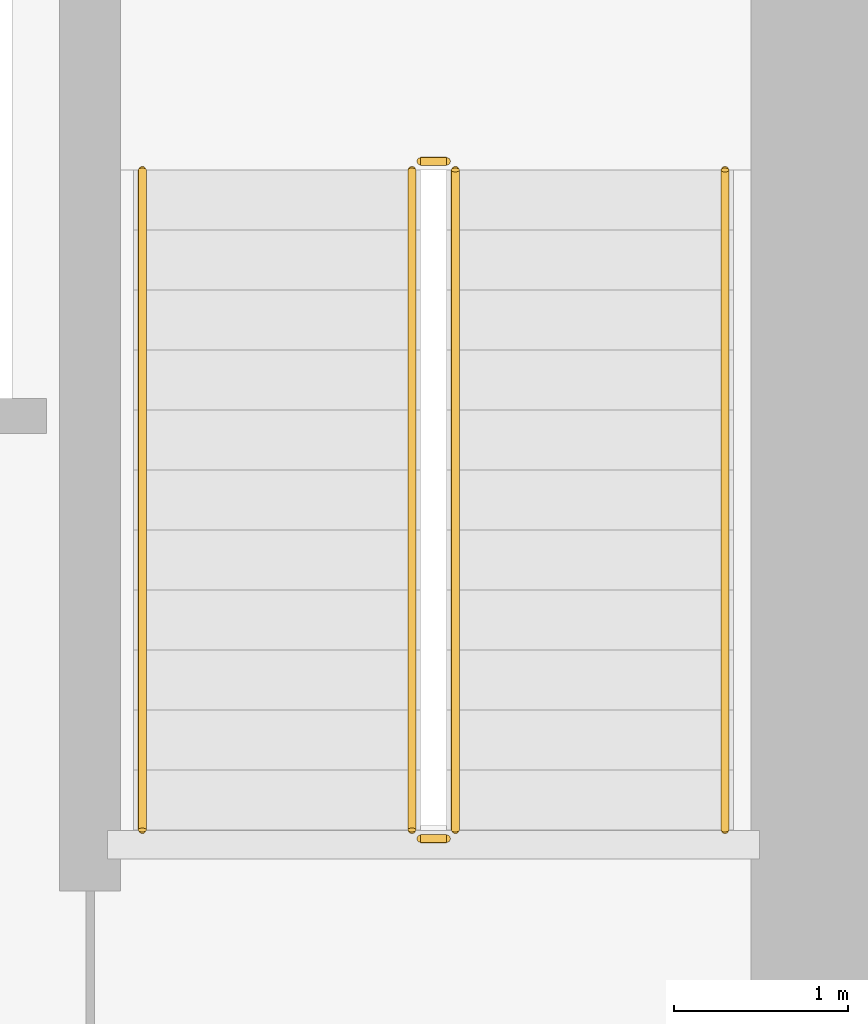
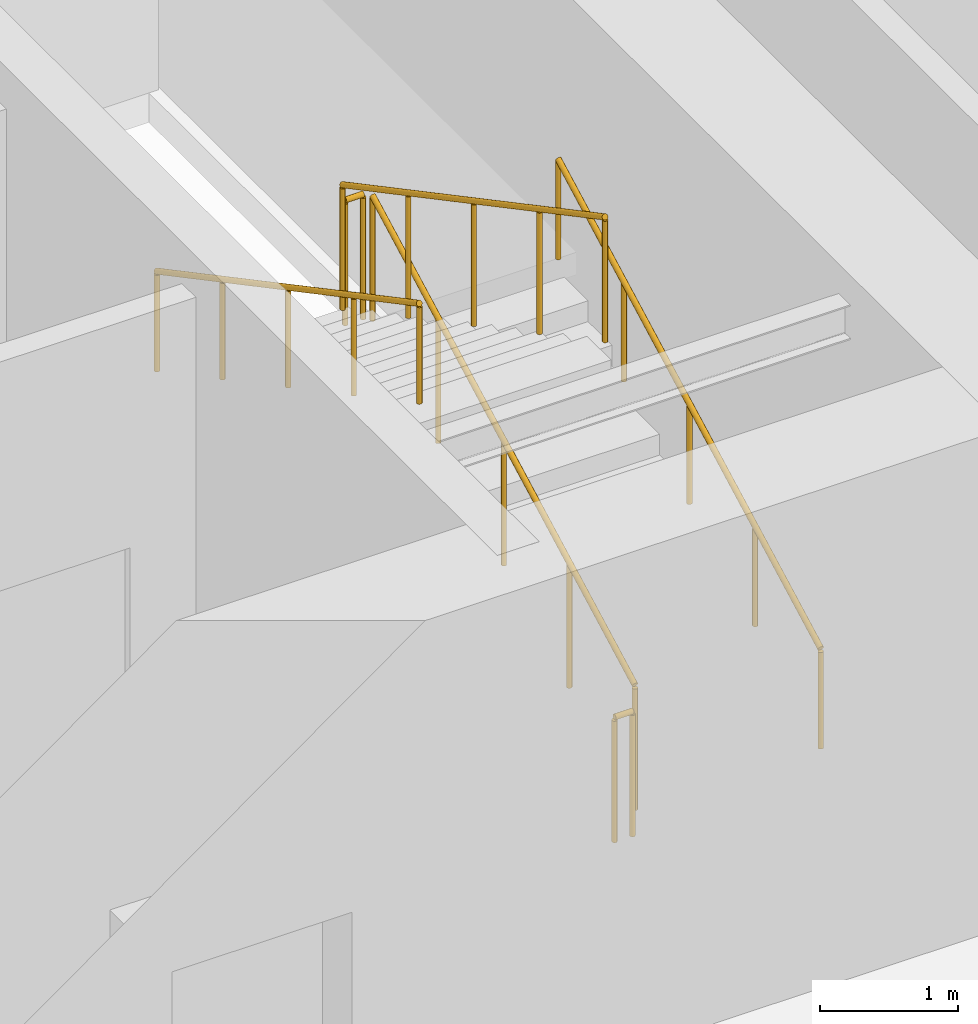
# One storey, part 25 of 27: 6 railings.
"""IFC4 building model written with IfcOpenShell, lengths in metres."""

from ifc_helpers import new_model, si_unit, direction, frame, origin, origin_2d, place, context, subcontext, project, spatial, circle, extrude, material, type_object, element, save


model = new_model("IFC4")

# Units and contexts
model_context = context("Model", 3, precision=1e-05, world=origin(), true_north=direction((0.0, 1.0)))
body_context = subcontext(model_context, "Body", "Model", "MODEL_VIEW")
ifc_project = project(units=[si_unit("LENGTHUNIT", "METRE"), si_unit("AREAUNIT", "SQUARE_METRE"), si_unit("VOLUMEUNIT", "CUBIC_METRE"), si_unit("PLANEANGLEUNIT", "RADIAN"), si_unit("MASSUNIT", "GRAM", prefix="KILO")], contexts=[model_context])

# Site, building, storey
site_placement = place(None, origin())
site = spatial("IfcSite", under=ifc_project, at=site_placement, CompositionType="ELEMENT")
building_placement = place(site_placement, origin())
building = spatial("IfcBuilding", under=site, at=building_placement, Name="Tolvann Quenvar Hotel", CompositionType="ELEMENT")
storey_placement = place(building_placement, frame((0.0, 0.0, 22.39990234375)))
storey = spatial("IfcBuildingStorey", under=building, at=storey_placement, Name="L04", CompositionType="ELEMENT", Elevation=22.39990234375)

# Railings
ifc_material = material(Name="Brushed 316 stainless steel balustrade and handrail", Category="steel")
railing_type_1 = type_object("IfcRailingType", Name="GUARDRAIL", PredefinedType="GUARDRAIL", material=ifc_material)
railing_1_placement = place(storey_placement, frame((33.800048828125, 34.0, 0.183349609375)))
element("IfcRailing", 1, at=railing_1_placement, inside=storey, type_object=railing_type_1, Name="L04 ST-C2 stair guard 1", PredefinedType="GUARDRAIL", context=body_context, shape_type="SweptSolid", body=[
    extrude(circle(Radius=0.02392578125, at=origin_2d()), frame((0.0, 0.0, 1.09619140625), z_axis=(0.0, 0.883039212421, 0.469299210873), x_axis=(-1.0, 0.0, 0.0)), (0.0, 0.0, 1.0), 4.297607421875),
    extrude(circle(Radius=0.02099609375, at=origin_2d()), origin(), (0.0, 0.0, 1.0), 1.072021484375),
    extrude(circle(Radius=0.02099609375, at=origin_2d()), frame((0.0, 0.94873046875, 0.504150390625)), (0.0, 0.0, 1.0), 1.072021484375),
    extrude(circle(Radius=0.02099609375, at=origin_2d()), frame((0.0, 1.8974609375, 1.00830078125)), (0.0, 0.0, 1.0), 1.072021484375),
    extrude(circle(Radius=0.02099609375, at=origin_2d()), frame((0.0, 2.84619140625, 1.5126953125)), (0.0, 0.0, 1.0), 1.072021484375),
    extrude(circle(Radius=0.02099609375, at=origin_2d()), frame((0.0, 3.794921875, 2.016845703125)), (0.0, 0.0, 1.0), 1.072021484375),
])
railing_2_placement = place(storey_placement, frame((33.75, 37.844970703125, 2.2001953125)))
element("IfcRailing", 2, at=railing_2_placement, inside=storey, type_object=railing_type_1, Name="L04 ST-C2 stair guard 2", PredefinedType="GUARDRAIL", context=body_context, shape_type="SweptSolid", body=[
    extrude(circle(Radius=0.02392578125, at=origin_2d()), frame((0.0, 0.0, 1.09619140625), z_axis=(-1.0, 0.0, 0.0), x_axis=(0.0, -1.0, 0.0)), (0.0, 0.0, 1.0), 0.14990234375),
    extrude(circle(Radius=0.02099609375, at=origin_2d()), origin(), (0.0, 0.0, 1.0), 1.072021484375),
    extrude(circle(Radius=0.02099609375, at=origin_2d()), frame((-0.14990234375, 0.0, 0.0)), (0.0, 0.0, 1.0), 1.072021484375),
])
railing_3_placement = place(storey_placement, frame((33.550048828125, 37.794921875, 2.383544921875)))
element("IfcRailing", 3, at=railing_3_placement, inside=storey, type_object=railing_type_1, Name="L04 ST-C2 stair guard 3", PredefinedType="GUARDRAIL", context=body_context, shape_type="SweptSolid", body=[
    extrude(circle(Radius=0.02392578125, at=origin_2d()), frame((0.0, 0.0, 1.09619140625), z_axis=(0.0, -0.883062754136, 0.469254911809), x_axis=(1.0, 0.0, 0.0)), (0.0, 0.0, 1.0), 4.29736328125),
    extrude(circle(Radius=0.02099609375, at=origin_2d()), origin(), (0.0, 0.0, 1.0), 1.072021484375),
    extrude(circle(Radius=0.02099609375, at=origin_2d()), frame((0.0, -0.94873046875, 0.504150390625)), (0.0, 0.0, 1.0), 1.072021484375),
    extrude(circle(Radius=0.02099609375, at=origin_2d()), frame((0.0, -1.8974609375, 1.00830078125)), (0.0, 0.0, 1.0), 1.072021484375),
    extrude(circle(Radius=0.02099609375, at=origin_2d()), frame((0.0, -2.84619140625, 1.512451171875)), (0.0, 0.0, 1.0), 1.072021484375),
    extrude(circle(Radius=0.02099609375, at=origin_2d()), frame((0.0, -3.794921875, 2.0166015625)), (0.0, 0.0, 1.0), 1.072021484375),
])
railing_4_placement = place(storey_placement, frame((33.75, 33.949951171875, 0.0)))
element("IfcRailing", 4, at=railing_4_placement, inside=storey, type_object=railing_type_1, Name="L04 ST-C2 stair guard 4", PredefinedType="GUARDRAIL", context=body_context, shape_type="SweptSolid", body=[
    extrude(circle(Radius=0.02392578125, at=origin_2d()), frame((0.0, 0.0, 1.09619140625), z_axis=(-1.0, 0.0, 0.0), x_axis=(0.0, -1.0, 0.0)), (0.0, 0.0, 1.0), 0.14990234375),
    extrude(circle(Radius=0.02099609375, at=origin_2d()), origin(), (0.0, 0.0, 1.0), 1.072021484375),
    extrude(circle(Radius=0.02099609375, at=origin_2d()), frame((-0.14990234375, 0.0, 0.0)), (0.0, 0.0, 1.0), 1.072021484375),
])
railing_type_2 = type_object("IfcRailingType", Name="HANDRAIL", PredefinedType="HANDRAIL", material=ifc_material)
railing_5_placement = place(storey_placement, frame((35.35009765625, 34.0, 0.183349609375)))
element("IfcRailing", 5, at=railing_5_placement, inside=storey, type_object=railing_type_2, Name="L04 ST-C2 stair handrail 1", PredefinedType="HANDRAIL", context=body_context, shape_type="SweptSolid", body=[
    extrude(circle(Radius=0.02392578125, at=origin_2d()), frame((0.0, 0.0, 0.8759765625), z_axis=(0.0, 0.883039212421, 0.469299210873), x_axis=(-1.0, 0.0, 0.0)), (0.0, 0.0, 1.0), 4.297607421875),
    extrude(circle(Radius=0.02099609375, at=origin_2d()), origin(), (0.0, 0.0, 1.0), 0.851806640625),
    extrude(circle(Radius=0.02099609375, at=origin_2d()), frame((0.0, 0.94873046875, 0.504150390625)), (0.0, 0.0, 1.0), 0.851806640625),
    extrude(circle(Radius=0.02099609375, at=origin_2d()), frame((0.0, 1.8974609375, 1.00830078125)), (0.0, 0.0, 1.0), 0.851806640625),
    extrude(circle(Radius=0.02099609375, at=origin_2d()), frame((0.0, 2.84619140625, 1.5126953125)), (0.0, 0.0, 1.0), 0.851806640625),
    extrude(circle(Radius=0.02099609375, at=origin_2d()), frame((0.0, 3.794921875, 2.016845703125)), (0.0, 0.0, 1.0), 0.851806640625),
])
railing_6_placement = place(storey_placement, frame((32.0, 37.794921875, 2.383544921875)))
element("IfcRailing", 6, at=railing_6_placement, inside=storey, type_object=railing_type_2, Name="L04 ST-C2 stair handrail 2", PredefinedType="HANDRAIL", context=body_context, shape_type="SweptSolid", body=[
    extrude(circle(Radius=0.02392578125, at=origin_2d()), frame((0.0, 0.0, 0.8759765625), z_axis=(0.0, -0.883062754136, 0.469254911809), x_axis=(1.0, 0.0, 0.0)), (0.0, 0.0, 1.0), 4.29736328125),
    extrude(circle(Radius=0.02099609375, at=origin_2d()), origin(), (0.0, 0.0, 1.0), 0.851806640625),
    extrude(circle(Radius=0.02099609375, at=origin_2d()), frame((0.0, -0.94873046875, 0.504150390625)), (0.0, 0.0, 1.0), 0.851806640625),
    extrude(circle(Radius=0.02099609375, at=origin_2d()), frame((0.0, -1.8974609375, 1.00830078125)), (0.0, 0.0, 1.0), 0.851806640625),
    extrude(circle(Radius=0.02099609375, at=origin_2d()), frame((0.0, -2.84619140625, 1.512451171875)), (0.0, 0.0, 1.0), 0.851806640625),
    extrude(circle(Radius=0.02099609375, at=origin_2d()), frame((0.0, -3.794921875, 2.0166015625)), (0.0, 0.0, 1.0), 0.851806640625),
])

save(model, "model.ifc")
